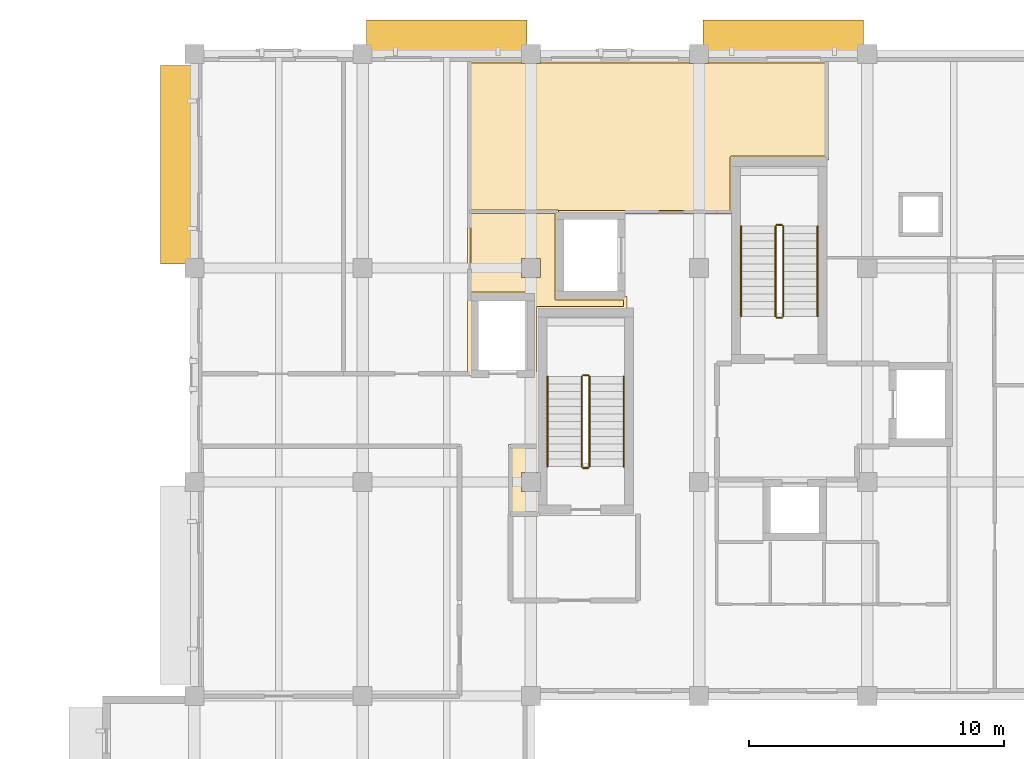
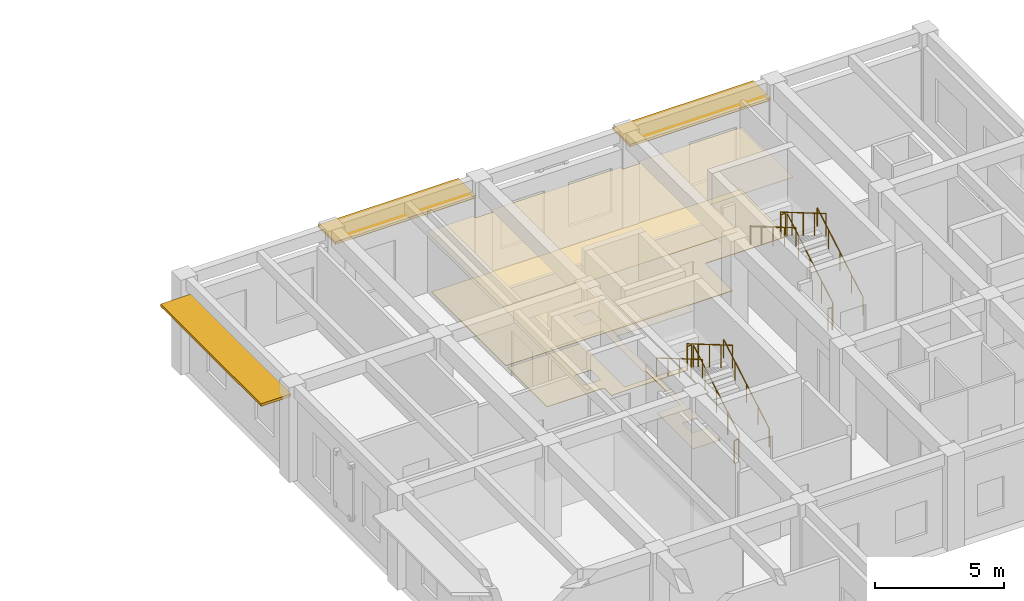
# One storey, part 24 of 25: 12 railings, 4 coverings, 3 shading devices.
"""IFC4 building model written with IfcOpenShell, lengths in metres."""

from ifc_helpers import new_model, si_unit, direction, frame, origin, origin_2d, place, context, subcontext, project, spatial, polyline, rectangle, circle, outline, extrude, material, layer, layer_set, type_object, element, save


model = new_model("IFC4")

# Units and contexts
model_context = context("Model", 3, precision=1e-05, world=origin(), true_north=direction((0.0, 1.0)))
body_context = subcontext(model_context, "Body", "Model", "MODEL_VIEW")
ifc_project = project(units=[si_unit("LENGTHUNIT", "METRE"), si_unit("AREAUNIT", "SQUARE_METRE"), si_unit("VOLUMEUNIT", "CUBIC_METRE"), si_unit("PLANEANGLEUNIT", "RADIAN"), si_unit("MASSUNIT", "GRAM", prefix="KILO")], contexts=[model_context])

# Site, building, storey
site_placement = place(None, origin())
site = spatial("IfcSite", under=ifc_project, at=site_placement, CompositionType="ELEMENT")
building_placement = place(site_placement, origin())
building = spatial("IfcBuilding", under=site, at=building_placement, Name="Kolvaren Faculty of Natural Sciences", CompositionType="ELEMENT")
storey_placement = place(building_placement, frame((0.0, 0.0, 19.5)))
storey = spatial("IfcBuildingStorey", under=building, at=storey_placement, Name="L04", CompositionType="ELEMENT", Elevation=19.5)

# Coverings
ifc_material_1 = material(Name="Perforated mineral-fibre acoustic suspended ceiling tile")
ifc_layer_1 = layer(ifc_material_1, 0.02490234375)
ifc_layer_set_1 = layer_set([ifc_layer_1], Name="Perforated mineral-fibre acoustic suspended ceiling tile")
covering_type_1 = type_object("IfcCoveringType", Name="AcousticSuspendedCeiling_25", PredefinedType="CEILING", material=ifc_layer_set_1)
covering_1_placement = place(storey_placement, frame((0.0, 0.0, 2.824951171875)))
element("IfcCovering", 1, at=covering_1_placement, inside=storey, type_object=covering_type_1, Name="L04 L04 Analytical Instrument Office acoustic ceiling", PredefinedType="CEILING", context=body_context, shape_type="SweptSolid", body=[
    extrude(outline(polyline([(151.625, 83.97998046875), (151.625, 83.824951171875), (152.375, 83.824951171875), (152.375, 83.97998046875), (158.22509765625, 83.97998046875), (158.22509765625, 83.824951171875), (158.97509765625, 83.824951171875), (158.97509765625, 83.97998046875), (163.679931640625, 83.97998046875), (163.679931640625, 80.044921875), (159.955078125, 80.044921875), (159.955078125, 77.919921875), (149.52001953125, 77.919921875), (149.52001953125, 83.97998046875), (151.625, 83.97998046875)])), origin(), (0.0, 0.0, 1.0), 0.025146484375),
])
covering_2_placement = place(storey_placement, frame((0.0, 0.0, 2.824951171875)))
element("IfcCovering", 2, at=covering_2_placement, inside=storey, type_object=covering_type_1, Name="L04 L04 Interdisciplinary Research Laboratory 32 acoustic ceiling", PredefinedType="CEILING", context=body_context, shape_type="SweptSolid", body=[
    extrude(outline(polyline([(151.1201171875, 68.8798828125), (152.169921875, 68.8798828125), (152.169921875, 71.570068359375), (152.070068359375, 71.570068359375), (152.070068359375, 74.719970703125), (149.72998046875, 74.719970703125), (149.72998046875, 71.570068359375), (149.52001953125, 71.570068359375), (149.52001953125, 78.080078125), (153.080078125, 78.080078125), (153.080078125, 74.679931640625), (155.780029296875, 74.679931640625), (155.780029296875, 74.14501953125), (152.35498046875, 74.14501953125), (152.35498046875, 67.77490234375), (151.625, 67.77490234375), (151.625, 67.02490234375), (152.35498046875, 67.02490234375), (152.35498046875, 66.070068359375), (151.1201171875, 66.070068359375), (151.1201171875, 68.8798828125)]), holes=[polyline([(151.625, 76.175048828125), (151.625, 75.425048828125), (152.375, 75.425048828125), (152.375, 76.175048828125), (151.625, 76.175048828125)])]), origin(), (0.0, 0.0, 1.0), 0.025146484375),
])

# Shading devices
ifc_material_2 = material(Name="Precast concrete C35/45", Category="concrete")
ifc_layer_2 = layer(ifc_material_2, 0.1201171875)
ifc_layer_set_2 = layer_set([ifc_layer_2], Name="Precast concrete C35/45")
shading_device_type = type_object("IfcShadingDeviceType", Name="ChhajjaSolarHood_1350", PredefinedType="AWNING", material=ifc_layer_set_2)
shading_device_placement = place(storey_placement, frame((138.14501953125, 79.85009765625, 3.64501953125), z_axis=(0.0, 0.0, 1.0), x_axis=(0.0, 1.0, 0.0)))
element("IfcShadingDevice", 3, at=shading_device_placement, inside=storey, type_object=shading_device_type, Name="L04 precast sandstone chhajja solar hood 128", PredefinedType="AWNING", context=body_context, shape_type="SweptSolid", body=[
    extrude(rectangle(XDim=7.800048828125, YDim=1.35009765625, at=origin_2d()), origin(), (0.0, 0.0, 1.0), 0.1201171875),
])
for number, where, z_axis, x_axis, name in (
    (4, (148.699951171875, 84.85498046875, 3.494873046875), (0.0, 0.0, 1.0), (1.0, 0.0, 0.0), "L04 precast sandstone chhajja solar hood 129"),
    (5, (161.89990234375, 84.85498046875, 3.494873046875), (0.0, 0.0, 1.0), (1.0, 0.0, 0.0), "L04 precast sandstone chhajja solar hood 130"),
):
    element("IfcShadingDevice", number, at=place(storey_placement, frame(where, z_axis=z_axis, x_axis=x_axis)), inside=storey, type_object=shading_device_type, Name=name, PredefinedType="AWNING", context=body_context, shape_type="SweptSolid", body=[
        extrude(rectangle(XDim=6.300048828125, YDim=1.35009765625, at=origin_2d()), origin(), (0.0, 0.0, 1.0), 0.1201171875),
    ])

# Covering
ifc_material_3 = material(Name="Seamless chemical-resistant laboratory epoxy resin flooring")
ifc_layer_3 = layer(ifc_material_3, 0.02001953125)
ifc_layer_set_3 = layer_set([ifc_layer_3], Name="Seamless chemical-resistant laboratory epoxy resin flooring")
covering_type_2 = type_object("IfcCoveringType", Name="LabEpoxyFloorFinish_20", PredefinedType="FLOORING", material=ifc_layer_set_3)
covering_3_placement = place(storey_placement, origin())
element("IfcCovering", 6, at=covering_3_placement, inside=storey, type_object=covering_type_2, Name="L04 L04 Interdisciplinary Research Laboratory 32 floor finish", PredefinedType="FLOORING", context=body_context, shape_type="SweptSolid", body=[
    extrude(outline(polyline([(149.659912109375, 77.93994140625), (152.93994140625, 77.93994140625), (152.93994140625, 74.60009765625), (152.940185546875, 74.593994140625), (152.941162109375, 74.58837890625), (152.942626953125, 74.58251953125), (152.944580078125, 74.576904296875), (152.947021484375, 74.57177734375), (152.9501953125, 74.566650390625), (152.95361328125, 74.56201171875), (152.95751953125, 74.5576171875), (152.9619140625, 74.5537109375), (152.966796875, 74.550048828125), (152.9716796875, 74.547119140625), (152.97705078125, 74.544677734375), (152.982666015625, 74.54248046875), (152.98828125, 74.541259765625), (152.994140625, 74.540283203125), (153.0, 74.5400390625), (155.639892578125, 74.5400390625), (155.639892578125, 74.284912109375), (152.27490234375, 74.284912109375), (152.26904296875, 74.28466796875), (152.26318359375, 74.28369140625), (152.257568359375, 74.282470703125), (152.251953125, 74.280517578125), (152.24658203125, 74.27783203125), (152.24169921875, 74.27490234375), (152.23681640625, 74.271484375), (152.232666015625, 74.267333984375), (152.228515625, 74.26318359375), (152.22509765625, 74.25830078125), (152.22216796875, 74.25341796875), (152.219482421875, 74.248046875), (152.217529296875, 74.242431640625), (152.21630859375, 74.23681640625), (152.21533203125, 74.23095703125), (152.215087890625, 74.22509765625), (152.215087890625, 71.7099609375), (152.2099609375, 71.7099609375), (152.2099609375, 74.800048828125), (152.209716796875, 74.805908203125), (152.208740234375, 74.811767578125), (152.20751953125, 74.8173828125), (152.205322265625, 74.822998046875), (152.202880859375, 74.828369140625), (152.199951171875, 74.833251953125), (152.1962890625, 74.838134765625), (152.1923828125, 74.84228515625), (152.18798828125, 74.846435546875), (152.183349609375, 74.849853515625), (152.17822265625, 74.852783203125), (152.173095703125, 74.85546875), (152.16748046875, 74.857421875), (152.16162109375, 74.85888671875), (152.156005859375, 74.859619140625), (152.14990234375, 74.860107421875), (149.659912109375, 74.860107421875), (149.659912109375, 77.93994140625)]), holes=[polyline([(151.625, 76.175048828125), (151.625, 75.425048828125), (152.375, 75.425048828125), (152.375, 76.175048828125), (151.625, 76.175048828125)])]), origin(), (0.0, 0.0, 1.0), 0.02001953125),
])

# Railings
ifc_material_4 = material(Name="Structural steel EN 10210-1 S355J2H", Category="steel")
ifc_layer_4 = layer(ifc_material_4, 0.048095703125)
ifc_layer_set_4 = layer_set([ifc_layer_4], Name="Structural steel EN 10210-1 S355J2H")
railing_type_1 = type_object("IfcRailingType", Name="StairPitchHandrail_920", PredefinedType="HANDRAIL", material=ifc_layer_set_4)
railing_1_placement = place(storey_placement, frame((163.25, 73.89990234375, 0.173095703125)))
element("IfcRailing", 7, at=railing_1_placement, inside=storey, type_object=railing_type_1, Name="L04 ST-1 stair handrail 1", PredefinedType="HANDRAIL", context=body_context, shape_type="SweptSolid", body=[
    extrude(circle(Radius=0.02392578125, at=origin_2d()), frame((0.0, 0.0, 0.8759765625), z_axis=(0.0, 0.862516251723, 0.506029362304), x_axis=(-1.0, 0.0, 0.0)), (0.0, 0.0, 1.0), 4.104248046875),
    extrude(circle(Radius=0.02099609375, at=origin_2d()), origin(), (0.0, 0.0, 1.0), 0.851806640625),
    extrude(circle(Radius=0.02099609375, at=origin_2d()), frame((0.0, 0.885009765625, 0.519287109375)), (0.0, 0.0, 1.0), 0.851806640625),
    extrude(circle(Radius=0.02099609375, at=origin_2d()), frame((0.0, 1.77001953125, 1.03857421875)), (0.0, 0.0, 1.0), 0.851806640625),
    extrude(circle(Radius=0.02099609375, at=origin_2d()), frame((0.0, 2.655029296875, 1.5576171875)), (0.0, 0.0, 1.0), 0.851806640625),
    extrude(circle(Radius=0.02099609375, at=origin_2d()), frame((0.0, 3.5400390625, 2.076904296875)), (0.0, 0.0, 1.0), 0.851806640625),
])
railing_2_placement = place(storey_placement, frame((160.25, 77.43994140625, 2.423095703125)))
element("IfcRailing", 8, at=railing_2_placement, inside=storey, type_object=railing_type_1, Name="L04 ST-1 stair handrail 2", PredefinedType="HANDRAIL", context=body_context, shape_type="SweptSolid", body=[
    extrude(circle(Radius=0.02392578125, at=origin_2d()), frame((0.0, 0.0, 0.8759765625), z_axis=(0.0, -0.862516251723, 0.506029362304), x_axis=(1.0, 0.0, 0.0)), (0.0, 0.0, 1.0), 4.104248046875),
    extrude(circle(Radius=0.02099609375, at=origin_2d()), origin(), (0.0, 0.0, 1.0), 0.851806640625),
    extrude(circle(Radius=0.02099609375, at=origin_2d()), frame((0.0, -0.885009765625, 0.519287109375)), (0.0, 0.0, 1.0), 0.851806640625),
    extrude(circle(Radius=0.02099609375, at=origin_2d()), frame((0.0, -1.77001953125, 1.03857421875)), (0.0, 0.0, 1.0), 0.851806640625),
    extrude(circle(Radius=0.02099609375, at=origin_2d()), frame((0.0, -2.655029296875, 1.5576171875)), (0.0, 0.0, 1.0), 0.851806640625),
    extrude(circle(Radius=0.02099609375, at=origin_2d()), frame((0.0, -3.5400390625, 2.076904296875)), (0.0, 0.0, 1.0), 0.851806640625),
])
railing_3_placement = place(storey_placement, frame((155.64990234375, 68.0, 0.173095703125)))
element("IfcRailing", 9, at=railing_3_placement, inside=storey, type_object=railing_type_1, Name="L04 ST-2 stair handrail 1", PredefinedType="HANDRAIL", context=body_context, shape_type="SweptSolid", body=[
    extrude(circle(Radius=0.02392578125, at=origin_2d()), frame((0.0, 0.0, 0.8759765625), z_axis=(0.0, 0.862516251723, 0.506029362304), x_axis=(-1.0, 0.0, 0.0)), (0.0, 0.0, 1.0), 4.104248046875),
    extrude(circle(Radius=0.02099609375, at=origin_2d()), origin(), (0.0, 0.0, 1.0), 0.851806640625),
    extrude(circle(Radius=0.02099609375, at=origin_2d()), frame((0.0, 0.885009765625, 0.519287109375)), (0.0, 0.0, 1.0), 0.851806640625),
    extrude(circle(Radius=0.02099609375, at=origin_2d()), frame((0.0, 1.77001953125, 1.03857421875)), (0.0, 0.0, 1.0), 0.851806640625),
    extrude(circle(Radius=0.02099609375, at=origin_2d()), frame((0.0, 2.655029296875, 1.5576171875)), (0.0, 0.0, 1.0), 0.851806640625),
    extrude(circle(Radius=0.02099609375, at=origin_2d()), frame((0.0, 3.5400390625, 2.076904296875)), (0.0, 0.0, 1.0), 0.851806640625),
])
railing_4_placement = place(storey_placement, frame((152.64990234375, 71.5400390625, 2.423095703125)))
element("IfcRailing", 10, at=railing_4_placement, inside=storey, type_object=railing_type_1, Name="L04 ST-2 stair handrail 2", PredefinedType="HANDRAIL", context=body_context, shape_type="SweptSolid", body=[
    extrude(circle(Radius=0.02392578125, at=origin_2d()), frame((0.0, 0.0, 0.8759765625), z_axis=(0.0, -0.862516251723, 0.506029362304), x_axis=(1.0, 0.0, 0.0)), (0.0, 0.0, 1.0), 4.104248046875),
    extrude(circle(Radius=0.02099609375, at=origin_2d()), origin(), (0.0, 0.0, 1.0), 0.851806640625),
    extrude(circle(Radius=0.02099609375, at=origin_2d()), frame((0.0, -0.885009765625, 0.519287109375)), (0.0, 0.0, 1.0), 0.851806640625),
    extrude(circle(Radius=0.02099609375, at=origin_2d()), frame((0.0, -1.77001953125, 1.03857421875)), (0.0, 0.0, 1.0), 0.851806640625),
    extrude(circle(Radius=0.02099609375, at=origin_2d()), frame((0.0, -2.655029296875, 1.5576171875)), (0.0, 0.0, 1.0), 0.851806640625),
    extrude(circle(Radius=0.02099609375, at=origin_2d()), frame((0.0, -3.5400390625, 2.076904296875)), (0.0, 0.0, 1.0), 0.851806640625),
])
ifc_layer_5 = layer(ifc_material_4, 0.048095703125)
ifc_layer_set_5 = layer_set([ifc_layer_5], Name="Structural steel EN 10210-1 S355J2H")
railing_type_2 = type_object("IfcRailingType", Name="StairWellGuard_1100", PredefinedType="BALUSTRADE", material=ifc_layer_set_5)
railing_5_placement = place(storey_placement, frame((161.89990234375, 73.89990234375, 0.173095703125)))
element("IfcRailing", 11, at=railing_5_placement, inside=storey, type_object=railing_type_2, Name="L04 ST-1 stair guard 1", PredefinedType="BALUSTRADE", context=body_context, shape_type="SweptSolid", body=[
    extrude(circle(Radius=0.02392578125, at=origin_2d()), frame((0.0, 0.0, 1.076171875), z_axis=(0.0, 0.862516251723, 0.506029362304), x_axis=(-1.0, 0.0, 0.0)), (0.0, 0.0, 1.0), 4.104248046875),
    extrude(circle(Radius=0.02099609375, at=origin_2d()), origin(), (0.0, 0.0, 1.0), 1.052001953125),
    extrude(circle(Radius=0.02099609375, at=origin_2d()), frame((0.0, 0.885009765625, 0.519287109375)), (0.0, 0.0, 1.0), 1.052001953125),
    extrude(circle(Radius=0.02099609375, at=origin_2d()), frame((0.0, 1.77001953125, 1.03857421875)), (0.0, 0.0, 1.0), 1.052001953125),
    extrude(circle(Radius=0.02099609375, at=origin_2d()), frame((0.0, 2.655029296875, 1.5576171875)), (0.0, 0.0, 1.0), 1.052001953125),
    extrude(circle(Radius=0.02099609375, at=origin_2d()), frame((0.0, 3.5400390625, 2.076904296875)), (0.0, 0.0, 1.0), 1.052001953125),
])
railing_6_placement = place(storey_placement, frame((161.85009765625, 77.489990234375, 2.25)))
element("IfcRailing", 12, at=railing_6_placement, inside=storey, type_object=railing_type_2, Name="L04 ST-1 stair guard 2", PredefinedType="BALUSTRADE", context=body_context, shape_type="SweptSolid", body=[
    extrude(circle(Radius=0.02392578125, at=origin_2d()), frame((0.0, 0.0, 1.076171875), z_axis=(-1.0, 0.0, 0.0), x_axis=(0.0, -1.0, 0.0)), (0.0, 0.0, 1.0), 0.2001953125),
    extrude(circle(Radius=0.02099609375, at=origin_2d()), origin(), (0.0, 0.0, 1.0), 1.052001953125),
    extrude(circle(Radius=0.02099609375, at=origin_2d()), frame((-0.2001953125, 0.0, 0.0)), (0.0, 0.0, 1.0), 1.052001953125),
])
railing_7_placement = place(storey_placement, frame((161.60009765625, 77.43994140625, 2.423095703125)))
element("IfcRailing", 13, at=railing_7_placement, inside=storey, type_object=railing_type_2, Name="L04 ST-1 stair guard 3", PredefinedType="BALUSTRADE", context=body_context, shape_type="SweptSolid", body=[
    extrude(circle(Radius=0.02392578125, at=origin_2d()), frame((0.0, 0.0, 1.076171875), z_axis=(0.0, -0.862516251723, 0.506029362304), x_axis=(1.0, 0.0, 0.0)), (0.0, 0.0, 1.0), 4.104248046875),
    extrude(circle(Radius=0.02099609375, at=origin_2d()), origin(), (0.0, 0.0, 1.0), 1.052001953125),
    extrude(circle(Radius=0.02099609375, at=origin_2d()), frame((0.0, -0.885009765625, 0.519287109375)), (0.0, 0.0, 1.0), 1.052001953125),
    extrude(circle(Radius=0.02099609375, at=origin_2d()), frame((0.0, -1.77001953125, 1.03857421875)), (0.0, 0.0, 1.0), 1.052001953125),
    extrude(circle(Radius=0.02099609375, at=origin_2d()), frame((0.0, -2.655029296875, 1.5576171875)), (0.0, 0.0, 1.0), 1.052001953125),
    extrude(circle(Radius=0.02099609375, at=origin_2d()), frame((0.0, -3.5400390625, 2.076904296875)), (0.0, 0.0, 1.0), 1.052001953125),
])
railing_8_placement = place(storey_placement, frame((161.85009765625, 73.85009765625, 0.0)))
element("IfcRailing", 14, at=railing_8_placement, inside=storey, type_object=railing_type_2, Name="L04 ST-1 stair guard 4", PredefinedType="BALUSTRADE", context=body_context, shape_type="SweptSolid", body=[
    extrude(circle(Radius=0.02392578125, at=origin_2d()), frame((0.0, 0.0, 1.076171875), z_axis=(-1.0, 0.0, 0.0), x_axis=(0.0, -1.0, 0.0)), (0.0, 0.0, 1.0), 0.2001953125),
    extrude(circle(Radius=0.02099609375, at=origin_2d()), origin(), (0.0, 0.0, 1.0), 1.052001953125),
    extrude(circle(Radius=0.02099609375, at=origin_2d()), frame((-0.2001953125, 0.0, 0.0)), (0.0, 0.0, 1.0), 1.052001953125),
])
railing_9_placement = place(storey_placement, frame((154.300048828125, 68.0, 0.173095703125)))
element("IfcRailing", 15, at=railing_9_placement, inside=storey, type_object=railing_type_2, Name="L04 ST-2 stair guard 1", PredefinedType="BALUSTRADE", context=body_context, shape_type="SweptSolid", body=[
    extrude(circle(Radius=0.02392578125, at=origin_2d()), frame((0.0, 0.0, 1.076171875), z_axis=(0.0, 0.862516251723, 0.506029362304), x_axis=(-1.0, 0.0, 0.0)), (0.0, 0.0, 1.0), 4.104248046875),
    extrude(circle(Radius=0.02099609375, at=origin_2d()), origin(), (0.0, 0.0, 1.0), 1.052001953125),
    extrude(circle(Radius=0.02099609375, at=origin_2d()), frame((0.0, 0.885009765625, 0.519287109375)), (0.0, 0.0, 1.0), 1.052001953125),
    extrude(circle(Radius=0.02099609375, at=origin_2d()), frame((0.0, 1.77001953125, 1.03857421875)), (0.0, 0.0, 1.0), 1.052001953125),
    extrude(circle(Radius=0.02099609375, at=origin_2d()), frame((0.0, 2.655029296875, 1.5576171875)), (0.0, 0.0, 1.0), 1.052001953125),
    extrude(circle(Radius=0.02099609375, at=origin_2d()), frame((0.0, 3.5400390625, 2.076904296875)), (0.0, 0.0, 1.0), 1.052001953125),
])
railing_10_placement = place(storey_placement, frame((154.25, 71.590087890625, 2.25)))
element("IfcRailing", 16, at=railing_10_placement, inside=storey, type_object=railing_type_2, Name="L04 ST-2 stair guard 2", PredefinedType="BALUSTRADE", context=body_context, shape_type="SweptSolid", body=[
    extrude(circle(Radius=0.02392578125, at=origin_2d()), frame((0.0, 0.0, 1.076171875), z_axis=(-1.0, 0.0, 0.0), x_axis=(0.0, -1.0, 0.0)), (0.0, 0.0, 1.0), 0.199951171875),
    extrude(circle(Radius=0.02099609375, at=origin_2d()), origin(), (0.0, 0.0, 1.0), 1.052001953125),
    extrude(circle(Radius=0.02099609375, at=origin_2d()), frame((-0.199951171875, 0.0, 0.0)), (0.0, 0.0, 1.0), 1.052001953125),
])
railing_11_placement = place(storey_placement, frame((154.0, 71.5400390625, 2.423095703125)))
element("IfcRailing", 17, at=railing_11_placement, inside=storey, type_object=railing_type_2, Name="L04 ST-2 stair guard 3", PredefinedType="BALUSTRADE", context=body_context, shape_type="SweptSolid", body=[
    extrude(circle(Radius=0.02392578125, at=origin_2d()), frame((0.0, 0.0, 1.076171875), z_axis=(0.0, -0.862516251723, 0.506029362304), x_axis=(1.0, 0.0, 0.0)), (0.0, 0.0, 1.0), 4.104248046875),
    extrude(circle(Radius=0.02099609375, at=origin_2d()), origin(), (0.0, 0.0, 1.0), 1.052001953125),
    extrude(circle(Radius=0.02099609375, at=origin_2d()), frame((0.0, -0.885009765625, 0.519287109375)), (0.0, 0.0, 1.0), 1.052001953125),
    extrude(circle(Radius=0.02099609375, at=origin_2d()), frame((0.0, -1.77001953125, 1.03857421875)), (0.0, 0.0, 1.0), 1.052001953125),
    extrude(circle(Radius=0.02099609375, at=origin_2d()), frame((0.0, -2.655029296875, 1.5576171875)), (0.0, 0.0, 1.0), 1.052001953125),
    extrude(circle(Radius=0.02099609375, at=origin_2d()), frame((0.0, -3.5400390625, 2.076904296875)), (0.0, 0.0, 1.0), 1.052001953125),
])
railing_12_placement = place(storey_placement, frame((154.25, 67.949951171875, 0.0)))
element("IfcRailing", 18, at=railing_12_placement, inside=storey, type_object=railing_type_2, Name="L04 ST-2 stair guard 4", PredefinedType="BALUSTRADE", context=body_context, shape_type="SweptSolid", body=[
    extrude(circle(Radius=0.02392578125, at=origin_2d()), frame((0.0, 0.0, 1.076171875), z_axis=(-1.0, 0.0, 0.0), x_axis=(0.0, -1.0, 0.0)), (0.0, 0.0, 1.0), 0.199951171875),
    extrude(circle(Radius=0.02099609375, at=origin_2d()), origin(), (0.0, 0.0, 1.0), 1.052001953125),
    extrude(circle(Radius=0.02099609375, at=origin_2d()), frame((-0.199951171875, 0.0, 0.0)), (0.0, 0.0, 1.0), 1.052001953125),
])

# Covering
ifc_material_5 = material(Name="Polished Uruguayan grey granite terrazzo flooring", Category="masonry")
ifc_layer_6 = layer(ifc_material_5, 0.030029296875)
ifc_layer_set_6 = layer_set([ifc_layer_6], Name="Polished Uruguayan grey granite terrazzo flooring")
covering_type_3 = type_object("IfcCoveringType", Name="TerrazzoFloorFinish_30", PredefinedType="FLOORING", material=ifc_layer_set_6)
covering_4_placement = place(storey_placement, origin())
element("IfcCovering", 19, at=covering_4_placement, inside=storey, type_object=covering_type_3, Name="L04 L04 Analytical Instrument Office floor finish", PredefinedType="FLOORING", context=body_context, shape_type="SweptSolid", body=[
    extrude(outline(polyline([(149.659912109375, 83.840087890625), (151.625, 83.840087890625), (151.625, 83.824951171875), (152.375, 83.824951171875), (152.375, 83.840087890625), (158.22509765625, 83.840087890625), (158.22509765625, 83.824951171875), (158.97509765625, 83.824951171875), (158.97509765625, 83.840087890625), (163.5400390625, 83.840087890625), (163.5400390625, 80.18505859375), (159.875, 80.18505859375), (159.869140625, 80.184814453125), (159.86328125, 80.183837890625), (159.857666015625, 80.182373046875), (159.85205078125, 80.180419921875), (159.8466796875, 80.177978515625), (159.841796875, 80.1748046875), (159.8369140625, 80.17138671875), (159.83251953125, 80.16748046875), (159.82861328125, 80.1630859375), (159.8251953125, 80.158203125), (159.822021484375, 80.1533203125), (159.819580078125, 80.14794921875), (159.817626953125, 80.142333984375), (159.816162109375, 80.13671875), (159.815185546875, 80.130859375), (159.81494140625, 80.125), (159.81494140625, 78.06005859375), (149.659912109375, 78.06005859375), (149.659912109375, 83.840087890625)])), origin(), (0.0, 0.0, 1.0), 0.030029296875),
])

save(model, "model.ifc")
